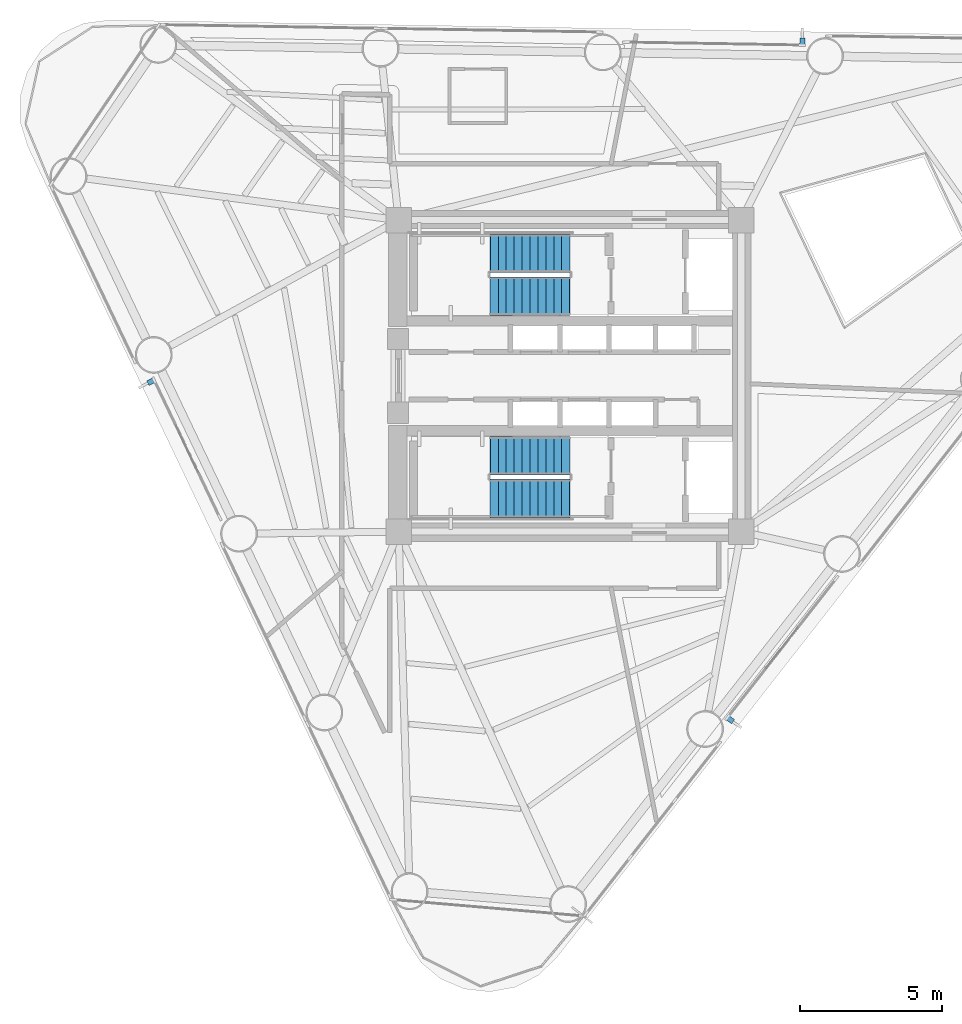
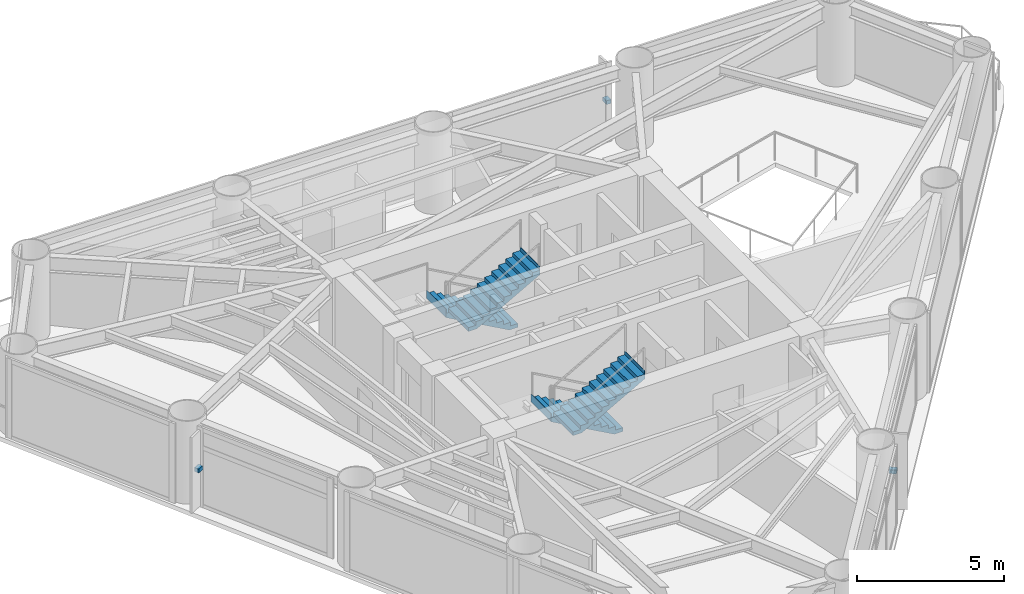
# One storey, part 7 of 10: 4 stair flights, 3 discrete accessories, 2 elements without a shape of their own.
"""IFC4 building model written with IfcOpenShell, lengths in metres."""

from ifc_helpers import new_model, si_unit, direction, frame, origin, origin_2d, place, context, subcontext, project, spatial, polyline, rectangle, outline, extrude, source, transform, mapped, material, type_object, element, aggregate, save


model = new_model("IFC4")

# Units and contexts
model_context = context("Model", 3, precision=1e-05, world=origin(), true_north=direction((0.0, 1.0)))
body_context = subcontext(model_context, "Body", "Model", "MODEL_VIEW")
ifc_project = project(units=[si_unit("LENGTHUNIT", "METRE"), si_unit("AREAUNIT", "SQUARE_METRE"), si_unit("VOLUMEUNIT", "CUBIC_METRE"), si_unit("PLANEANGLEUNIT", "RADIAN"), si_unit("MASSUNIT", "GRAM", prefix="KILO")], contexts=[model_context])

# Site, building, storey
site_placement = place(None, origin())
site = spatial("IfcSite", under=ifc_project, at=site_placement, CompositionType="ELEMENT")
building_placement = place(site_placement, origin())
building = spatial("IfcBuilding", under=site, at=building_placement, Name="Yunling Apex Tower", CompositionType="ELEMENT")
storey_placement = place(building_placement, frame((0.0, 0.0, 146.75)))
storey = spatial("IfcBuildingStorey", under=building, at=storey_placement, Name="L36", CompositionType="ELEMENT", Elevation=146.75)

# Stair, stair flights
ifc_material_1 = material(Name="Concrete C40", Category="concrete")
stair_type = type_object("IfcStairType", Name="ST-TWR-2", PredefinedType="HALF_TURN_STAIR", material=ifc_material_1)
stair_1_placement = place(storey_placement, origin())
stair_1 = element("IfcStair", 1, at=stair_1_placement, inside=storey, type_object=stair_type, Name="L36 North Core Smokeproof Exit Stair ST-1", PredefinedType="HALF_TURN_STAIR")
stair_flight_type = type_object("IfcStairFlightType", Name="SFL-TWR-2", PredefinedType="STRAIGHT", material=ifc_material_1)
stair_flight_1_placement = place(storey_placement, frame((-0.010009765625, 4.330078125, 0.0), z_axis=(0.0, 0.0, 1.0), x_axis=(-1.0, 0.0, 0.0)))
stair_flight_1 = element("IfcStairFlight", 2, at=stair_flight_1_placement, type_object=stair_flight_type, Name="ST-1 flight 1", NumberOfRisers=11, NumberOfTreads=10, PredefinedType="STRAIGHT", RiserHeight=0.156818182, TreadLength=0.28, context=body_context, shape_type="SweptSolid", body=[
    extrude(outline(polyline([(-0.011962890625, 0.0), (-0.011962890625, 0.15673828125), (0.0, 0.15673828125), (0.280029296875, 0.15673828125), (0.280029296875, 0.313720703125), (0.56005859375, 0.313720703125), (0.56005859375, 0.470458984375), (0.840087890625, 0.470458984375), (0.840087890625, 0.627197265625), (1.1201171875, 0.627197265625), (1.1201171875, 0.7841796875), (1.39990234375, 0.7841796875), (1.39990234375, 0.94091796875), (1.679931640625, 0.94091796875), (1.679931640625, 1.09765625), (1.9599609375, 1.09765625), (1.9599609375, 1.254638671875), (2.239990234375, 1.254638671875), (2.239990234375, 1.411376953125), (2.52001953125, 1.411376953125), (2.52001953125, 1.568115234375), (2.800048828125, 1.568115234375), (2.800048828125, 1.72509765625), (2.81201171875, 1.72509765625), (2.81201171875, 1.385009765625), (0.3271484375, 0.0), (-0.011962890625, 0.0)])), frame((0.0, 0.68017578125, 0.0), z_axis=(0.0, -1.0, 0.0), x_axis=(1.0, 0.0, 0.0)), (0.0, 0.0, 1.0), 1.360107421875),
])
stair_flight_2_placement = place(storey_placement, frame((-2.81005859375, 2.820068359375, 1.72509765625), z_axis=(0.0, 0.0, 1.0), x_axis=(1.0, 0.0, 0.0)))
stair_flight_2 = element("IfcStairFlight", 3, at=stair_flight_2_placement, type_object=stair_flight_type, Name="ST-1 flight 2", NumberOfRisers=11, NumberOfTreads=10, PredefinedType="STRAIGHT", RiserHeight=0.156818182, TreadLength=0.28, context=body_context, shape_type="SweptSolid", body=[
    extrude(outline(polyline([(-0.011962890625, 0.0), (-0.011962890625, 0.15673828125), (0.0, 0.15673828125), (0.280029296875, 0.15673828125), (0.280029296875, 0.313720703125), (0.56005859375, 0.313720703125), (0.56005859375, 0.470458984375), (0.840087890625, 0.470458984375), (0.840087890625, 0.627197265625), (1.1201171875, 0.627197265625), (1.1201171875, 0.7841796875), (1.39990234375, 0.7841796875), (1.39990234375, 0.94091796875), (1.679931640625, 0.94091796875), (1.679931640625, 1.09765625), (1.9599609375, 1.09765625), (1.9599609375, 1.254638671875), (2.239990234375, 1.254638671875), (2.239990234375, 1.411376953125), (2.52001953125, 1.411376953125), (2.52001953125, 1.568115234375), (2.800048828125, 1.568115234375), (2.800048828125, 1.72509765625), (2.81201171875, 1.72509765625), (2.81201171875, 1.385009765625), (0.3271484375, 0.0), (-0.011962890625, 0.0)])), frame((0.0, 0.68017578125, 0.0), z_axis=(0.0, -1.0, 0.0), x_axis=(1.0, 0.0, 0.0)), (0.0, 0.0, 1.0), 1.360107421875),
])
aggregate(stair_1, [stair_flight_1, stair_flight_2])

stair_2_placement = place(storey_placement, origin())
stair_2 = element("IfcStair", 4, at=stair_2_placement, inside=storey, type_object=stair_type, Name="L36 South Core Smokeproof Exit Stair ST-2", PredefinedType="HALF_TURN_STAIR")
stair_flight_3_placement = place(storey_placement, frame((-0.010009765625, -2.820068359375, 0.0), z_axis=(0.0, 0.0, 1.0), x_axis=(-1.0, 0.0, 0.0)))
stair_flight_3 = element("IfcStairFlight", 5, at=stair_flight_3_placement, type_object=stair_flight_type, Name="ST-2 flight 1", NumberOfRisers=11, NumberOfTreads=10, PredefinedType="STRAIGHT", RiserHeight=0.156818182, TreadLength=0.28, context=body_context, shape_type="SweptSolid", body=[
    extrude(outline(polyline([(-0.011962890625, 0.0), (-0.011962890625, 0.15673828125), (0.0, 0.15673828125), (0.280029296875, 0.15673828125), (0.280029296875, 0.313720703125), (0.56005859375, 0.313720703125), (0.56005859375, 0.470458984375), (0.840087890625, 0.470458984375), (0.840087890625, 0.627197265625), (1.1201171875, 0.627197265625), (1.1201171875, 0.7841796875), (1.39990234375, 0.7841796875), (1.39990234375, 0.94091796875), (1.679931640625, 0.94091796875), (1.679931640625, 1.09765625), (1.9599609375, 1.09765625), (1.9599609375, 1.254638671875), (2.239990234375, 1.254638671875), (2.239990234375, 1.411376953125), (2.52001953125, 1.411376953125), (2.52001953125, 1.568115234375), (2.800048828125, 1.568115234375), (2.800048828125, 1.72509765625), (2.81201171875, 1.72509765625), (2.81201171875, 1.385009765625), (0.3271484375, 0.0), (-0.011962890625, 0.0)])), frame((0.0, 0.68017578125, 0.0), z_axis=(0.0, -1.0, 0.0), x_axis=(1.0, 0.0, 0.0)), (0.0, 0.0, 1.0), 1.360107421875),
])
stair_flight_4_placement = place(storey_placement, frame((-2.81005859375, -4.330078125, 1.72509765625), z_axis=(0.0, 0.0, 1.0), x_axis=(1.0, 0.0, 0.0)))
stair_flight_4 = element("IfcStairFlight", 6, at=stair_flight_4_placement, type_object=stair_flight_type, Name="ST-2 flight 2", NumberOfRisers=11, NumberOfTreads=10, PredefinedType="STRAIGHT", RiserHeight=0.156818182, TreadLength=0.28, context=body_context, shape_type="SweptSolid", body=[
    extrude(outline(polyline([(-0.011962890625, 0.0), (-0.011962890625, 0.15673828125), (0.0, 0.15673828125), (0.280029296875, 0.15673828125), (0.280029296875, 0.313720703125), (0.56005859375, 0.313720703125), (0.56005859375, 0.470458984375), (0.840087890625, 0.470458984375), (0.840087890625, 0.627197265625), (1.1201171875, 0.627197265625), (1.1201171875, 0.7841796875), (1.39990234375, 0.7841796875), (1.39990234375, 0.94091796875), (1.679931640625, 0.94091796875), (1.679931640625, 1.09765625), (1.9599609375, 1.09765625), (1.9599609375, 1.254638671875), (2.239990234375, 1.254638671875), (2.239990234375, 1.411376953125), (2.52001953125, 1.411376953125), (2.52001953125, 1.568115234375), (2.800048828125, 1.568115234375), (2.800048828125, 1.72509765625), (2.81201171875, 1.72509765625), (2.81201171875, 1.385009765625), (0.3271484375, 0.0), (-0.011962890625, 0.0)])), frame((0.0, 0.68017578125, 0.0), z_axis=(0.0, -1.0, 0.0), x_axis=(1.0, 0.0, 0.0)), (0.0, 0.0, 1.0), 1.360107421875),
])
aggregate(stair_2, [stair_flight_3, stair_flight_4])

# Discrete accessories
ifc_material_2 = material(Name="Steel Q355B", Category="steel")
discrete_accessory_type = type_object("IfcDiscreteAccessoryType", Name="BK-FIN-1", PredefinedType="BRACKET", material=ifc_material_2)
shared_shape = source(origin(), body_context, "Body", "SweptSolid", [
    extrude(rectangle(XDim=0.179931640625, YDim=0.260009765625, at=origin_2d()), origin(), (0.0, 0.0, 1.0), 0.159912109375),
])
for number, where, z_axis, x_axis, name in (
    (7, (5.658447265625, -12.135986328125, 1.55517578125), (0.0, 0.0, 1.0), (0.616211460536, 0.787580748815, 0.0), "CW-L36-F1-B2-BRK-01-1"),
    (8, (8.207763671875, 11.798828125, 1.55517578125), (0.0, 0.0, 1.0), (-0.999859635577, 0.016754376869, 0.0), "CW-L36-F2-B2-BRK-01-1"),
    (9, (-14.790283203125, -0.201416015625, 1.55517578125), (0.0, 0.0, 1.0), (0.430511096808, -0.90258528435, 0.0), "CW-L36-F3-B2-BRK-01-1"),
):
    element("IfcDiscreteAccessory", number, at=place(storey_placement, frame(where, z_axis=z_axis, x_axis=x_axis)), inside=storey, type_object=discrete_accessory_type, Name=name, PredefinedType="BRACKET", context=body_context, shape_type="MappedRepresentation", body=[
        mapped(shared_shape, transform((0.0, 0.0, 0.0), scale=1.0)),
    ])

save(model, "model.ifc")
